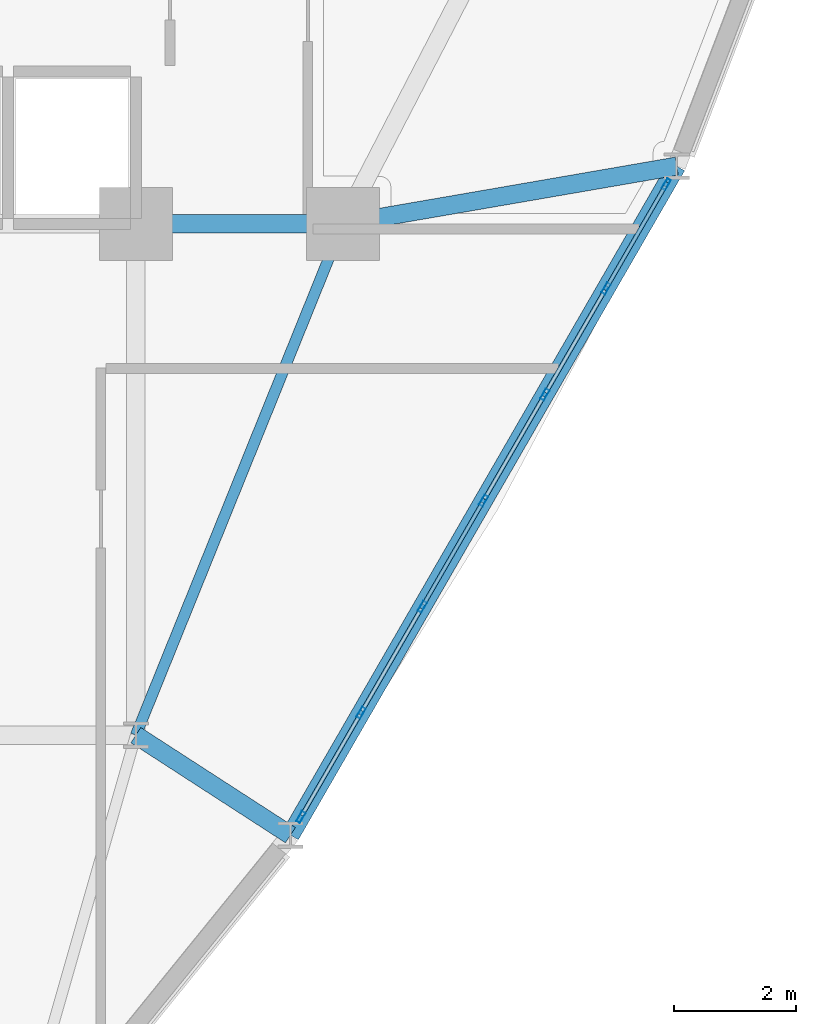
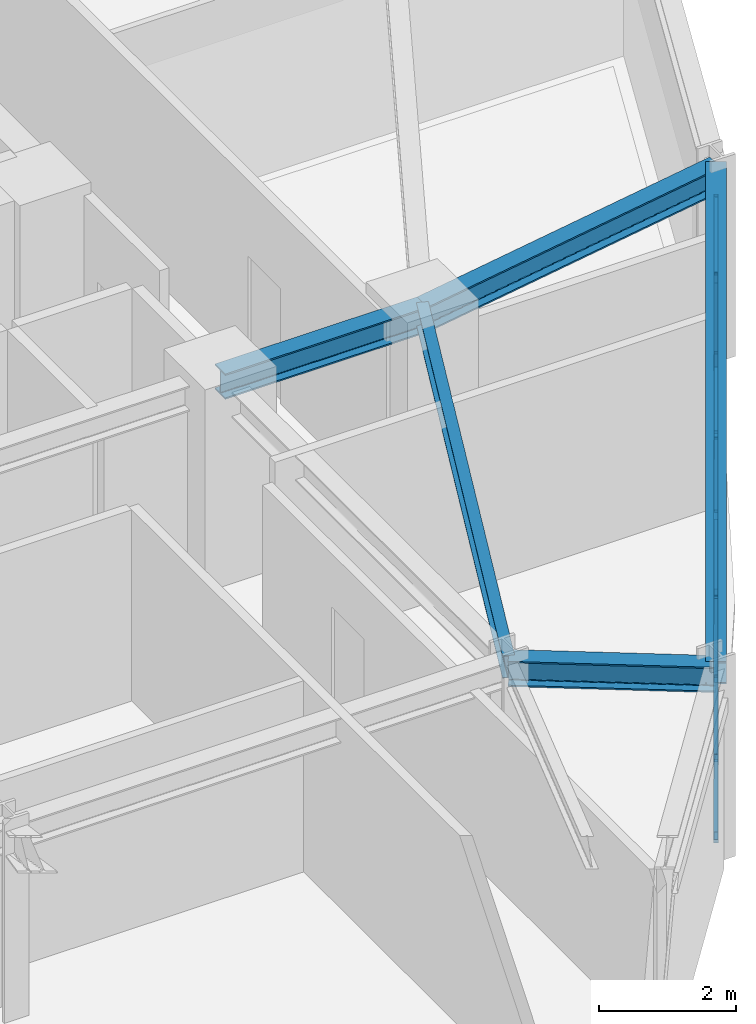
# One storey, part 7 of 18: 21 members, 5 beams, 1 element without a shape of its own.
"""IFC4 building model written with IfcOpenShell, lengths in metres."""

from ifc_helpers import new_model, si_unit, derived_unit, direction, frame, origin, origin_2d, place, context, subcontext, project, spatial, hollow_rectangle, i_section, extrude, source, transform, mapped, material, layer, layer_set, material_profile, profile_set, type_object, element, aggregate, save


model = new_model("IFC4")

# Units and contexts
model_context = context("Model", 3, precision=1e-05, world=origin(), true_north=direction((0.0, 1.0)))
body_context = subcontext(model_context, "Body", "Model", "MODEL_VIEW")
ifc_project = project(units=[si_unit("LENGTHUNIT", "METRE"), si_unit("AREAUNIT", "SQUARE_METRE"), si_unit("VOLUMEUNIT", "CUBIC_METRE"), si_unit("PLANEANGLEUNIT", "RADIAN"), si_unit("MASSUNIT", "GRAM", prefix="KILO"), derived_unit("THERMALTRANSMITTANCEUNIT", [(si_unit("POWERUNIT", "WATT"), 1), (si_unit("LENGTHUNIT", "METRE"), -2), (si_unit("THERMODYNAMICTEMPERATUREUNIT", "KELVIN"), -1)])], contexts=[model_context])

# Site, building, storey
site_placement = place(None, origin())
site = spatial("IfcSite", under=ifc_project, at=site_placement, CompositionType="ELEMENT")
building_placement = place(site_placement, origin())
building = spatial("IfcBuilding", under=site, at=building_placement, Name="Korsvarv Bourse and Concert Hall", CompositionType="ELEMENT")
storey_placement = place(building_placement, frame((0.0, 0.0, 168.60009765625)))
storey = spatial("IfcBuildingStorey", under=building, at=storey_placement, Name="L43", CompositionType="ELEMENT", Elevation=168.60009765625)

# Beams
ifc_material_1 = material(Name="Steel S355", Category="steel")
ifc_material_profile_1 = material_profile(ifc_material_1, i_section(OverallWidth=0.179931640625, OverallDepth=0.39990234375, WebThickness=0.008544921875, FlangeThickness=0.013427734375, FilletRadius=0.02099609375, at=origin_2d()), Name="IPE 400")
ifc_profile_set_1 = profile_set([ifc_material_profile_1], Name="Steel S355")
beam_type_1 = type_object("IfcBeamType", Name="BM-IPE400", PredefinedType="JOIST", material=ifc_profile_set_1)
shared_shape_1 = source(origin(), body_context, "Body", "SweptSolid", [
    extrude(i_section(OverallWidth=0.179931640625, OverallDepth=0.39990234375, WebThickness=0.008544921875, FlangeThickness=0.013427734375, FilletRadius=0.02099609375, at=origin_2d()), origin(), (0.0, 0.0, 1.0), 9.06201171875),
])
beam_1_placement = place(storey_placement, frame((47.800048828125, 32.39990234375, 3.199951171875), z_axis=(-0.375210394783, -0.926939674222, 0.0), x_axis=(0.926939674222, -0.375210394783, 0.0)))
element("IfcBeam", 1, at=beam_1_placement, inside=storey, type_object=beam_type_1, Name="L43 beam J-05", PredefinedType="JOIST", context=body_context, shape_type="MappedRepresentation", body=[
    mapped(shared_shape_1, transform((0.0, 0.0, 0.0), scale=1.0)),
])
ifc_material_profile_2 = material_profile(ifc_material_1, i_section(OverallWidth=0.300048828125, OverallDepth=0.449951171875, WebThickness=0.013916015625, FlangeThickness=0.02587890625, FilletRadius=0.02099609375, at=origin_2d()), Name="HEB 450")
ifc_profile_set_2 = profile_set([ifc_material_profile_2], Name="Steel S355")
beam_type_2 = type_object("IfcBeamType", Name="BM-HEB450", PredefinedType="SPANDREL", material=ifc_profile_set_2)
shared_shape_2 = source(origin(), body_context, "Body", "SweptSolid", [
    extrude(i_section(OverallWidth=0.300048828125, OverallDepth=0.449951171875, WebThickness=0.013916015625, FlangeThickness=0.02587890625, FilletRadius=0.02099609375, at=origin_2d()), origin(), (0.0, 0.0, 1.0), 3.400146484375),
])
beam_2_placement = place(storey_placement, frame((44.39990234375, 32.39990234375, 3.1748046875), z_axis=(1.0, 0.0, 0.0), x_axis=(0.0, 1.0, 0.0)))
element("IfcBeam", 2, at=beam_2_placement, inside=storey, type_object=beam_type_2, Name="L43 beam B-08", PredefinedType="SPANDREL", context=body_context, shape_type="MappedRepresentation", body=[
    mapped(shared_shape_2, transform((0.0, 0.0, 0.0), scale=1.0)),
])
ifc_material_profile_3 = material_profile(ifc_material_1, i_section(OverallWidth=0.300048828125, OverallDepth=0.39990234375, WebThickness=0.013427734375, FlangeThickness=0.02392578125, FilletRadius=0.02099609375, at=origin_2d()), Name="HEB 400")
ifc_profile_set_3 = profile_set([ifc_material_profile_3], Name="Steel S355")
beam_type_3 = type_object("IfcBeamType", Name="BM-HEB400", PredefinedType="SPANDREL", material=ifc_profile_set_3)
shared_shape_3 = source(origin(), body_context, "Body", "SweptSolid", [
    extrude(i_section(OverallWidth=0.300048828125, OverallDepth=0.39990234375, WebThickness=0.013427734375, FlangeThickness=0.02392578125, FilletRadius=0.02099609375, at=origin_2d()), origin(), (0.0, 0.0, 1.0), 12.692138671875),
])
beam_3_placement = place(storey_placement, frame((46.939697265625, 22.356201171875, 3.199951171875), z_axis=(0.499993308569, 0.866029267049, 0.0), x_axis=(-0.866029267049, 0.499993308569, 0.0)))
element("IfcBeam", 3, at=beam_3_placement, inside=storey, type_object=beam_type_3, Name="L43 beam B-09", PredefinedType="SPANDREL", context=body_context, shape_type="MappedRepresentation", body=[
    mapped(shared_shape_3, transform((0.0, 0.0, 0.0), scale=1.0)),
])
shared_shape_4 = source(origin(), body_context, "Body", "SweptSolid", [
    extrude(i_section(OverallWidth=0.300048828125, OverallDepth=0.449951171875, WebThickness=0.013916015625, FlangeThickness=0.02587890625, FilletRadius=0.02099609375, at=origin_2d()), origin(), (0.0, 0.0, 1.0), 5.56689453125),
])
beam_4_placement = place(storey_placement, frame((53.28564453125, 33.347900390625, 3.1748046875), z_axis=(-0.985393700019, -0.170291679077, 0.0), x_axis=(0.170291679077, -0.985393700019, 0.0)))
element("IfcBeam", 4, at=beam_4_placement, inside=storey, type_object=beam_type_2, Name="L43 beam B-08", PredefinedType="SPANDREL", context=body_context, shape_type="MappedRepresentation", body=[
    mapped(shared_shape_4, transform((0.0, 0.0, 0.0), scale=1.0)),
])
shared_shape_5 = source(origin(), body_context, "Body", "SweptSolid", [
    extrude(i_section(OverallWidth=0.300048828125, OverallDepth=0.449951171875, WebThickness=0.013916015625, FlangeThickness=0.02587890625, FilletRadius=0.02099609375, at=origin_2d()), origin(), (0.0, 0.0, 1.0), 3.025390625),
])
beam_5_placement = place(storey_placement, frame((46.939697265625, 22.356201171875, 3.1748046875), z_axis=(-0.839509529418, 0.543344964104, 0.0), x_axis=(-0.543344964104, -0.839509529418, 0.0)))
element("IfcBeam", 5, at=beam_5_placement, inside=storey, type_object=beam_type_2, Name="L43 beam B-08", PredefinedType="SPANDREL", context=body_context, shape_type="MappedRepresentation", body=[
    mapped(shared_shape_5, transform((0.0, 0.0, 0.0), scale=1.0)),
])

# Curtain wall, members
ifc_material_2 = material(Name="Anodised aluminium and triple low-E glazing", Category="glass")
ifc_layer = layer(ifc_material_2, 0.2099609375)
ifc_layer_set = layer_set([ifc_layer], Name="Anodised aluminium and triple low-E glazing")
curtain_wall_type = type_object("IfcCurtainWallType", Name="CW-SYS-2", PredefinedType="NOTDEFINED", material=ifc_layer_set)
curtain_wall_placement = place(storey_placement, origin())
curtain_wall = element("IfcCurtainWall", 6, at=curtain_wall_placement, inside=storey, type_object=curtain_wall_type, Name="L43 CW2 curtain wall CW-L43-F11", PredefinedType="NOTDEFINED")
ifc_material_3 = material(Name="Extruded aluminium EN AW-6063 T66", Category="aluminium")
ifc_material_profile_4 = material_profile(ifc_material_3, hollow_rectangle(XDim=0.070068359375, YDim=0.18994140625, WallThickness=0.0048828125, at=origin_2d()), Name="ALU-M 70x190")
ifc_profile_set_4 = profile_set([ifc_material_profile_4], Name="Extruded aluminium EN AW-6063 T66")
member_type_1 = type_object("IfcMemberType", Name="CWM-190", PredefinedType="MULLION", material=ifc_profile_set_4)
shared_shape_6 = source(origin(), body_context, "Body", "SweptSolid", [
    extrude(hollow_rectangle(XDim=0.070068359375, YDim=0.18994140625, WallThickness=0.0048828125, at=origin_2d()), origin(), (0.0, 0.0, 1.0), 3.0),
])
member_1_placement = place(storey_placement, frame((47.111572265625, 22.654052734375, 0.0), z_axis=(0.0, 0.0, 1.0), x_axis=(-0.866022564355, 0.500004918003, 0.0)))
member_1 = element("IfcMember", 7, at=member_1_placement, type_object=member_type_1, Name="CW2 mullion 1", PredefinedType="MULLION", context=body_context, shape_type="MappedRepresentation", body=[
    mapped(shared_shape_6, transform((0.0, 0.0, 0.0), scale=1.0)),
])
member_2_placement = place(storey_placement, frame((48.10009765625, 24.366455078125, 0.0), z_axis=(0.0, 0.0, 1.0), x_axis=(-0.866022564355, 0.500004918003, 0.0)))
member_2 = element("IfcMember", 8, at=member_2_placement, type_object=member_type_1, Name="CW2 mullion 2", PredefinedType="MULLION", context=body_context, shape_type="MappedRepresentation", body=[
    mapped(shared_shape_6, transform((0.0, 0.0, 0.0), scale=1.0)),
])
member_3_placement = place(storey_placement, frame((49.1064453125, 26.109375, 0.0), z_axis=(0.0, 0.0, 1.0), x_axis=(-0.866022564355, 0.500004918003, 0.0)))
member_3 = element("IfcMember", 9, at=member_3_placement, type_object=member_type_1, Name="CW2 mullion 3", PredefinedType="MULLION", context=body_context, shape_type="MappedRepresentation", body=[
    mapped(shared_shape_6, transform((0.0, 0.0, 0.0), scale=1.0)),
])
member_4_placement = place(storey_placement, frame((50.112548828125, 27.85205078125, 0.0), z_axis=(0.0, 0.0, 1.0), x_axis=(-0.866022564355, 0.500004918003, 0.0)))
member_4 = element("IfcMember", 10, at=member_4_placement, type_object=member_type_1, Name="CW2 mullion 4", PredefinedType="MULLION", context=body_context, shape_type="MappedRepresentation", body=[
    mapped(shared_shape_6, transform((0.0, 0.0, 0.0), scale=1.0)),
])
member_5_placement = place(storey_placement, frame((51.118896484375, 29.594970703125, 0.0), z_axis=(0.0, 0.0, 1.0), x_axis=(-0.866022564355, 0.500004918003, 0.0)))
member_5 = element("IfcMember", 11, at=member_5_placement, type_object=member_type_1, Name="CW2 mullion 5", PredefinedType="MULLION", context=body_context, shape_type="MappedRepresentation", body=[
    mapped(shared_shape_6, transform((0.0, 0.0, 0.0), scale=1.0)),
])
member_6_placement = place(storey_placement, frame((52.125, 31.337646484375, 0.0), z_axis=(0.0, 0.0, 1.0), x_axis=(-0.866022564355, 0.500004918003, 0.0)))
member_6 = element("IfcMember", 12, at=member_6_placement, type_object=member_type_1, Name="CW2 mullion 6", PredefinedType="MULLION", context=body_context, shape_type="MappedRepresentation", body=[
    mapped(shared_shape_6, transform((0.0, 0.0, 0.0), scale=1.0)),
])
member_7_placement = place(storey_placement, frame((53.11376953125, 33.050048828125, 0.0), z_axis=(0.0, 0.0, 1.0), x_axis=(-0.866022564355, 0.500004918003, 0.0)))
member_7 = element("IfcMember", 13, at=member_7_placement, type_object=member_type_1, Name="CW2 mullion 7", PredefinedType="MULLION", context=body_context, shape_type="MappedRepresentation", body=[
    mapped(shared_shape_6, transform((0.0, 0.0, 0.0), scale=1.0)),
])
ifc_material_profile_5 = material_profile(ifc_material_3, hollow_rectangle(XDim=0.06494140625, YDim=0.139892578125, WallThickness=0.00390625, at=origin_2d()), Name="ALU-T 65x140")
ifc_profile_set_5 = profile_set([ifc_material_profile_5], Name="Extruded aluminium EN AW-6063 T66")
member_type_2 = type_object("IfcMemberType", Name="CWT-140", PredefinedType="USERDEFINED", material=ifc_profile_set_5)
shared_shape_7 = source(origin(), body_context, "Body", "SweptSolid", [
    extrude(hollow_rectangle(XDim=0.06494140625, YDim=0.139892578125, WallThickness=0.00390625, at=origin_2d()), origin(), (0.0, 0.0, 1.0), 1.907470703125),
])
member_8_placement = place(storey_placement, frame((47.12890625, 22.684326171875, 0.032470703125), z_axis=(0.500062210058, 0.865989483811, 0.0), x_axis=(-0.865989483811, 0.500062210058, 0.0)))
member_8 = element("IfcMember", 14, at=member_8_placement, type_object=member_type_2, Name="CW2 transom 1.1", ObjectType="TRANSOM", PredefinedType="USERDEFINED", context=body_context, shape_type="MappedRepresentation", body=[
    mapped(shared_shape_7, transform((0.0, 0.0, 0.0), scale=1.0)),
])
member_9_placement = place(storey_placement, frame((47.12890625, 22.684326171875, 2.96728515625), z_axis=(0.500062210058, 0.865989483811, 0.0), x_axis=(-0.865989483811, 0.500062210058, 0.0)))
member_9 = element("IfcMember", 15, at=member_9_placement, type_object=member_type_2, Name="CW2 transom 1.2", ObjectType="TRANSOM", PredefinedType="USERDEFINED", context=body_context, shape_type="MappedRepresentation", body=[
    mapped(shared_shape_7, transform((0.0, 0.0, 0.0), scale=1.0)),
])
member_10_placement = place(storey_placement, frame((52.142578125, 31.367919921875, 0.032470703125), z_axis=(0.499966215292, 0.866044908516, 0.0), x_axis=(-0.866044908516, 0.499966215292, 0.0)))
member_10 = element("IfcMember", 16, at=member_10_placement, type_object=member_type_2, Name="CW2 transom 6.1", ObjectType="TRANSOM", PredefinedType="USERDEFINED", context=body_context, shape_type="MappedRepresentation", body=[
    mapped(shared_shape_7, transform((0.0, 0.0, 0.0), scale=1.0)),
])
member_11_placement = place(storey_placement, frame((52.142578125, 31.367919921875, 2.96728515625), z_axis=(0.499966215292, 0.866044908516, 0.0), x_axis=(-0.866044908516, 0.499966215292, 0.0)))
member_11 = element("IfcMember", 17, at=member_11_placement, type_object=member_type_2, Name="CW2 transom 6.2", ObjectType="TRANSOM", PredefinedType="USERDEFINED", context=body_context, shape_type="MappedRepresentation", body=[
    mapped(shared_shape_7, transform((0.0, 0.0, 0.0), scale=1.0)),
])
shared_shape_8 = source(origin(), body_context, "Body", "SweptSolid", [
    extrude(hollow_rectangle(XDim=0.06494140625, YDim=0.139892578125, WallThickness=0.00390625, at=origin_2d()), origin(), (0.0, 0.0, 1.0), 1.9423828125),
])
member_12_placement = place(storey_placement, frame((48.11767578125, 24.39697265625, 0.032470703125), z_axis=(0.500005339912, 0.866022320763, 0.0), x_axis=(-0.866022320763, 0.500005339912, 0.0)))
member_12 = element("IfcMember", 18, at=member_12_placement, type_object=member_type_2, Name="CW2 transom 2.1", ObjectType="TRANSOM", PredefinedType="USERDEFINED", context=body_context, shape_type="MappedRepresentation", body=[
    mapped(shared_shape_8, transform((0.0, 0.0, 0.0), scale=1.0)),
])
member_13_placement = place(storey_placement, frame((48.11767578125, 24.39697265625, 2.96728515625), z_axis=(0.500005339912, 0.866022320763, 0.0), x_axis=(-0.866022320763, 0.500005339912, 0.0)))
member_13 = element("IfcMember", 19, at=member_13_placement, type_object=member_type_2, Name="CW2 transom 2.2", ObjectType="TRANSOM", PredefinedType="USERDEFINED", context=body_context, shape_type="MappedRepresentation", body=[
    mapped(shared_shape_8, transform((0.0, 0.0, 0.0), scale=1.0)),
])
member_14_placement = place(storey_placement, frame((49.123779296875, 26.1396484375, 0.032470703125), z_axis=(0.500099599838, 0.865967892154, 0.0), x_axis=(-0.865967892154, 0.500099599838, 0.0)))
member_14 = element("IfcMember", 20, at=member_14_placement, type_object=member_type_2, Name="CW2 transom 3.1", ObjectType="TRANSOM", PredefinedType="USERDEFINED", context=body_context, shape_type="MappedRepresentation", body=[
    mapped(shared_shape_8, transform((0.0, 0.0, 0.0), scale=1.0)),
])
member_15_placement = place(storey_placement, frame((49.123779296875, 26.1396484375, 2.96728515625), z_axis=(0.500099599838, 0.865967892154, 0.0), x_axis=(-0.865967892154, 0.500099599838, 0.0)))
member_15 = element("IfcMember", 21, at=member_15_placement, type_object=member_type_2, Name="CW2 transom 3.2", ObjectType="TRANSOM", PredefinedType="USERDEFINED", context=body_context, shape_type="MappedRepresentation", body=[
    mapped(shared_shape_8, transform((0.0, 0.0, 0.0), scale=1.0)),
])
member_16_placement = place(storey_placement, frame((50.130126953125, 27.88232421875, 0.032470703125), z_axis=(0.500005339912, 0.866022320763, 0.0), x_axis=(-0.866022320763, 0.500005339912, 0.0)))
member_16 = element("IfcMember", 22, at=member_16_placement, type_object=member_type_2, Name="CW2 transom 4.1", ObjectType="TRANSOM", PredefinedType="USERDEFINED", context=body_context, shape_type="MappedRepresentation", body=[
    mapped(shared_shape_8, transform((0.0, 0.0, 0.0), scale=1.0)),
])
member_17_placement = place(storey_placement, frame((50.130126953125, 27.88232421875, 2.96728515625), z_axis=(0.500005339912, 0.866022320763, 0.0), x_axis=(-0.866022320763, 0.500005339912, 0.0)))
member_17 = element("IfcMember", 23, at=member_17_placement, type_object=member_type_2, Name="CW2 transom 4.2", ObjectType="TRANSOM", PredefinedType="USERDEFINED", context=body_context, shape_type="MappedRepresentation", body=[
    mapped(shared_shape_8, transform((0.0, 0.0, 0.0), scale=1.0)),
])
member_18_placement = place(storey_placement, frame((51.13623046875, 29.625244140625, 0.032470703125), z_axis=(0.500005339912, 0.866022320763, 0.0), x_axis=(-0.866022320763, 0.500005339912, 0.0)))
member_18 = element("IfcMember", 24, at=member_18_placement, type_object=member_type_2, Name="CW2 transom 5.1", ObjectType="TRANSOM", PredefinedType="USERDEFINED", context=body_context, shape_type="MappedRepresentation", body=[
    mapped(shared_shape_8, transform((0.0, 0.0, 0.0), scale=1.0)),
])
member_19_placement = place(storey_placement, frame((51.13623046875, 29.625244140625, 2.96728515625), z_axis=(0.500005339912, 0.866022320763, 0.0), x_axis=(-0.866022320763, 0.500005339912, 0.0)))
member_19 = element("IfcMember", 25, at=member_19_placement, type_object=member_type_2, Name="CW2 transom 5.2", ObjectType="TRANSOM", PredefinedType="USERDEFINED", context=body_context, shape_type="MappedRepresentation", body=[
    mapped(shared_shape_8, transform((0.0, 0.0, 0.0), scale=1.0)),
])
ifc_material_profile_6 = material_profile(ifc_material_3, hollow_rectangle(XDim=0.06494140625, YDim=0.1650390625, WallThickness=0.0048828125, at=origin_2d()), Name="ALU-M 65x165")
ifc_profile_set_6 = profile_set([ifc_material_profile_6], Name="Extruded aluminium EN AW-6063 T66")
member_type_3 = type_object("IfcMemberType", Name="CWM-165", PredefinedType="MULLION", material=ifc_profile_set_6)
shared_shape_9 = source(origin(), body_context, "Body", "SweptSolid", [
    extrude(hollow_rectangle(XDim=0.06494140625, YDim=0.1650390625, WallThickness=0.0048828125, at=origin_2d()), origin(), (0.0, 0.0, 1.0), 3.465576171875),
])
member_20_placement = place(storey_placement, frame((49.123779296875, 26.1396484375, 0.06494140625), z_axis=(0.280319330378, 0.485398388113, 0.828136146919), x_axis=(-0.865967892154, 0.500099599838, 0.0)))
member_20 = element("IfcMember", 26, at=member_20_placement, type_object=member_type_3, Name="CW2 diagonal mullion 3", PredefinedType="MULLION", context=body_context, shape_type="MappedRepresentation", body=[
    mapped(shared_shape_9, transform((0.0, 0.0, 0.0), scale=1.0)),
])
shared_shape_10 = source(origin(), body_context, "Body", "SweptSolid", [
    extrude(hollow_rectangle(XDim=0.06494140625, YDim=0.1650390625, WallThickness=0.0048828125, at=origin_2d()), origin(), (0.0, 0.0, 1.0), 3.44580078125),
])
member_21_placement = place(storey_placement, frame((53.09619140625, 33.019775390625, 0.06494140625), z_axis=(-0.276739115501, -0.479369394645, 0.832838787179), x_axis=(0.866044908516, -0.499966215292, 0.0)))
member_21 = element("IfcMember", 27, at=member_21_placement, type_object=member_type_3, Name="CW2 diagonal mullion 6", PredefinedType="MULLION", context=body_context, shape_type="MappedRepresentation", body=[
    mapped(shared_shape_10, transform((0.0, 0.0, 0.0), scale=1.0)),
])
aggregate(curtain_wall, [member_1, member_2, member_3, member_4, member_5, member_6, member_7, member_8, member_9, member_12, member_13, member_14, member_15, member_20, member_16, member_17, member_18, member_19, member_10, member_11, member_21])

save(model, "model.ifc")
